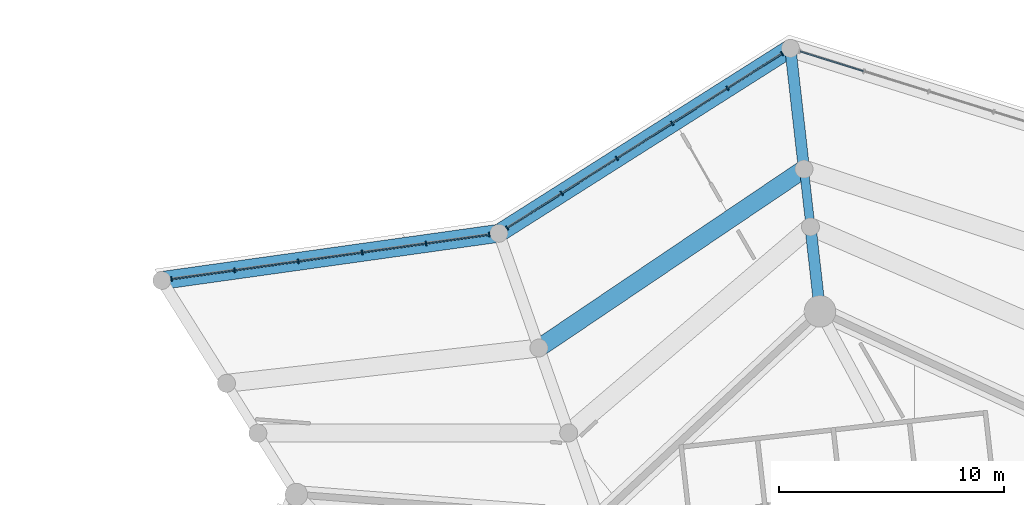
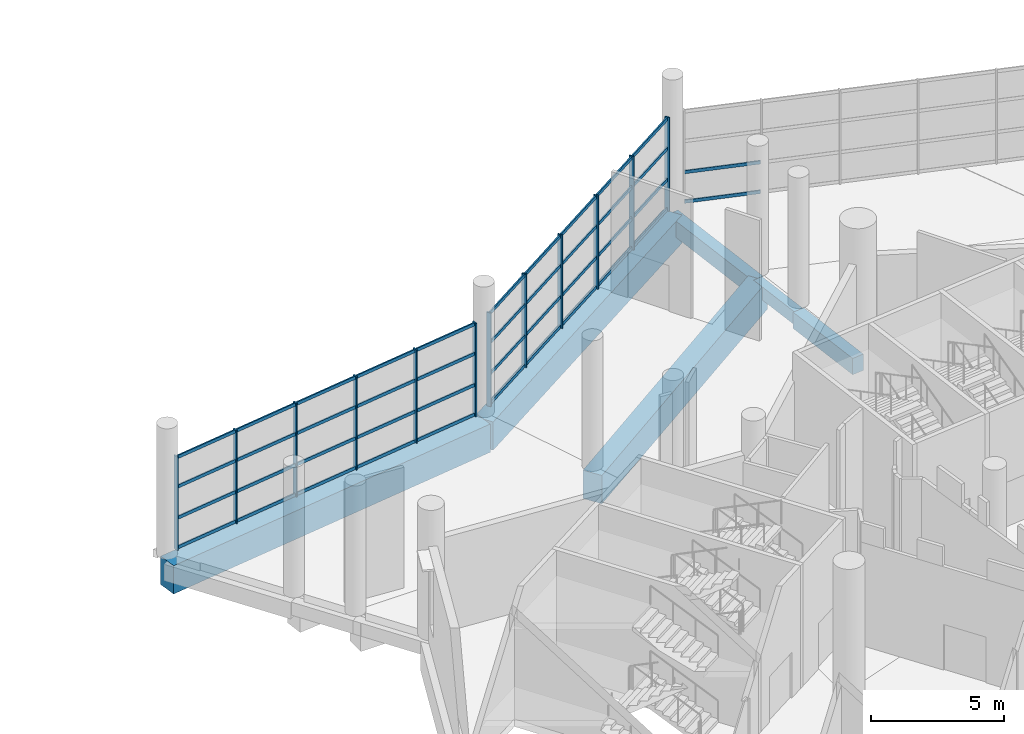
# One storey, part 65 of 249: 54 members, 6 beams, 3 elements without a shape of their own.
"""IFC4 building model written with IfcOpenShell, lengths in metres."""

from ifc_helpers import new_model, si_unit, direction, frame, origin, origin_2d, place, context, subcontext, project, spatial, rectangle, extrude, material, layer, layer_set, material_profile, profile_set, type_object, element, aggregate, save


model = new_model("IFC4")

# Units and contexts
model_context = context("Model", 3, precision=1e-05, world=origin(), true_north=direction((0.0, 1.0)))
body_context = subcontext(model_context, "Body", "Model", "MODEL_VIEW")
ifc_project = project(units=[si_unit("LENGTHUNIT", "METRE"), si_unit("AREAUNIT", "SQUARE_METRE"), si_unit("VOLUMEUNIT", "CUBIC_METRE"), si_unit("PLANEANGLEUNIT", "RADIAN"), si_unit("MASSUNIT", "GRAM", prefix="KILO")], contexts=[model_context])

# Site, building, storey
site_placement = place(None, origin())
site = spatial("IfcSite", under=ifc_project, at=site_placement, CompositionType="ELEMENT")
building_placement = place(site_placement, origin())
building = spatial("IfcBuilding", under=site, at=building_placement, Name="Meseta Stadium", CompositionType="ELEMENT")
storey_placement = place(building_placement, frame((0.0, 0.0, 12.0)))
storey = spatial("IfcBuildingStorey", under=building, at=storey_placement, Name="L02", CompositionType="ELEMENT", Elevation=12.0)

# Beams
ifc_material_1 = material(Name="Concrete C40/50", Category="concrete")
ifc_material_profile_1 = material_profile(ifc_material_1, rectangle(XDim=0.39990234375, YDim=0.60009765625, at=origin_2d()), Name="RC 400x600")
ifc_profile_set_1 = profile_set([ifc_material_profile_1], Name="Concrete C40/50")
beam_type_1 = type_object("IfcBeamType", Name="RC beam 400x600", PredefinedType="BEAM", material=ifc_profile_set_1)
beam_1_placement = place(storey_placement, frame((-52.626220703125, 108.80810546875, -0.64990234375), z_axis=(-0.111926742176, 0.99371646076, 0.0), x_axis=(-0.99371646076, -0.111926742176, 0.0)))
element("IfcBeam", 1, at=beam_1_placement, inside=storey, type_object=beam_type_1, Name="L02 radial beam frame 22 line M to Q", PredefinedType="BEAM", context=body_context, shape_type="SweptSolid", body=[
    extrude(rectangle(XDim=0.39990234375, YDim=0.60009765625, at=origin_2d()), origin(), (0.0, 0.0, 1.0), 2.580322265625),
])
ifc_material_2 = material(Name="Concrete C40/50", Category="concrete")
ifc_material_profile_2 = material_profile(ifc_material_2, rectangle(XDim=0.5, YDim=0.75, at=origin_2d()), Name="RC 500x750")
ifc_profile_set_2 = profile_set([ifc_material_profile_2], Name="Concrete C40/50")
beam_type_2 = type_object("IfcBeamType", Name="RC beam 500x750", PredefinedType="BEAM", material=ifc_profile_set_2)
beam_2_placement = place(storey_placement, frame((-52.202880859375, 105.0517578125, -0.72509765625), z_axis=(-0.111990888536, 0.993709233571, 0.0), x_axis=(-0.993709233571, -0.111990888536, 0.0)))
element("IfcBeam", 2, at=beam_2_placement, inside=storey, type_object=beam_type_2, Name="L02 radial beam frame 22 line R to M", PredefinedType="BEAM", context=body_context, shape_type="SweptSolid", body=[
    extrude(rectangle(XDim=0.5, YDim=0.75, at=origin_2d()), origin(), (0.0, 0.0, 1.0), 3.780029296875),
])
beam_3_placement = place(storey_placement, frame((-52.9150390625, 111.372314453125, -0.72509765625), z_axis=(-0.111944897098, 0.993714415722, 0.0), x_axis=(-0.993714415722, -0.111944897098, 0.0)))
element("IfcBeam", 3, at=beam_3_placement, inside=storey, type_object=beam_type_2, Name="L02 radial beam frame 22 line Q to O", PredefinedType="BEAM", context=body_context, shape_type="SweptSolid", body=[
    extrude(rectangle(XDim=0.5, YDim=0.75, at=origin_2d()), origin(), (0.0, 0.0, 1.0), 5.39990234375),
])
ifc_material_3 = material(Name="Concrete C40/50", Category="concrete")
ifc_material_profile_3 = material_profile(ifc_material_3, rectangle(XDim=0.800048828125, YDim=1.300048828125, at=origin_2d()), Name="RC 800x1300")
ifc_profile_set_3 = profile_set([ifc_material_profile_3], Name="Concrete C40/50")
beam_type_3 = type_object("IfcBeamType", Name="RC beam 800x1300", PredefinedType="BEAM", material=ifc_profile_set_3)
beam_4_placement = place(storey_placement, frame((-52.9150390625, 111.372314453125, -1.0), z_axis=(-0.828920770395, -0.559366030795, 0.0), x_axis=(0.559366030795, -0.828920770395, 0.0)))
element("IfcBeam", 4, at=beam_4_placement, inside=storey, type_object=beam_type_3, Name="L02 ring beam frame 22 line Q", PredefinedType="BEAM", context=body_context, shape_type="SweptSolid", body=[
    extrude(rectangle(XDim=0.800048828125, YDim=1.300048828125, at=origin_2d()), origin(), (0.0, 0.0, 1.0), 14.209716796875),
])
beam_5_placement = place(storey_placement, frame((-53.51953125, 116.73828125, -1.0), z_axis=(-0.844496467493, -0.535561122927, 0.0), x_axis=(0.535561122927, -0.844496467493, 0.0)))
element("IfcBeam", 5, at=beam_5_placement, inside=storey, type_object=beam_type_3, Name="L02 ring beam frame 22 line O", PredefinedType="BEAM", context=body_context, shape_type="SweptSolid", body=[
    extrude(rectangle(XDim=0.800048828125, YDim=1.300048828125, at=origin_2d()), origin(), (0.0, 0.0, 1.0), 15.34375),
])
beam_6_placement = place(storey_placement, frame((-66.477294921875, 108.520751953125, -1.0), z_axis=(-0.990344007641, -0.138631693814, 0.0), x_axis=(0.138631693814, -0.990344007641, 0.0)))
element("IfcBeam", 6, at=beam_6_placement, inside=storey, type_object=beam_type_3, Name="L02 ring beam frame 23 line O", PredefinedType="BEAM", context=body_context, shape_type="SweptSolid", body=[
    extrude(rectangle(XDim=0.800048828125, YDim=1.300048828125, at=origin_2d()), origin(), (0.0, 0.0, 1.0), 15.122314453125),
])

# Curtain wall, members
ifc_material_4 = material(Name="Aluminium", Category="aluminium")
ifc_layer = layer(ifc_material_4, 0.199951171875)
ifc_layer_set = layer_set([ifc_layer], Name="Ring shopfront curtain wall")
curtain_wall_type = type_object("IfcCurtainWallType", Name="Ring shopfront curtain wall", PredefinedType="NOTDEFINED", material=ifc_layer_set)
curtain_wall_1_placement = place(storey_placement, origin())
curtain_wall_1 = element("IfcCurtainWall", 7, at=curtain_wall_1_placement, inside=storey, type_object=curtain_wall_type, Name="Ring glazing L02 F22", PredefinedType="NOTDEFINED")
ifc_material_5 = material(Name="Aluminium", Category="aluminium")
ifc_material_profile_4 = material_profile(ifc_material_5, rectangle(XDim=0.199951171875, YDim=0.06005859375, at=origin_2d()), Name="CW 200x60")
ifc_profile_set_4 = profile_set([ifc_material_profile_4], Name="Aluminium")
member_type_1 = type_object("IfcMemberType", Name="Ring CW mullion 60x200", PredefinedType="MULLION", material=ifc_profile_set_4)
member_1_placement = place(storey_placement, frame((-53.8828125, 116.508056640625, 0.0), z_axis=(0.0, 0.0, 1.0), x_axis=(0.535569055659, -0.844491436677, 0.0)))
member_1 = element("IfcMember", 8, at=member_1_placement, type_object=member_type_1, Name="CWR1 mullion 1", PredefinedType="MULLION", context=body_context, shape_type="SweptSolid", body=[
    extrude(rectangle(XDim=0.199951171875, YDim=0.06005859375, at=origin_2d()), origin(), (0.0, 0.0, 1.0), 4.300048828125),
])
member_2_placement = place(storey_placement, frame((-56.313720703125, 114.96630859375, 0.0), z_axis=(0.0, 0.0, 1.0), x_axis=(0.535569055659, -0.844491436677, 0.0)))
member_2 = element("IfcMember", 9, at=member_2_placement, type_object=member_type_1, Name="CWR1 mullion 2", PredefinedType="MULLION", context=body_context, shape_type="SweptSolid", body=[
    extrude(rectangle(XDim=0.199951171875, YDim=0.06005859375, at=origin_2d()), origin(), (0.0, 0.0, 1.0), 4.300048828125),
])
member_3_placement = place(storey_placement, frame((-58.770263671875, 113.408447265625, 0.0), z_axis=(0.0, 0.0, 1.0), x_axis=(0.535569055659, -0.844491436677, 0.0)))
member_3 = element("IfcMember", 10, at=member_3_placement, type_object=member_type_1, Name="CWR1 mullion 3", PredefinedType="MULLION", context=body_context, shape_type="SweptSolid", body=[
    extrude(rectangle(XDim=0.199951171875, YDim=0.06005859375, at=origin_2d()), origin(), (0.0, 0.0, 1.0), 4.300048828125),
])
member_4_placement = place(storey_placement, frame((-61.2265625, 111.8505859375, 0.0), z_axis=(0.0, 0.0, 1.0), x_axis=(0.535569055659, -0.844491436677, 0.0)))
member_4 = element("IfcMember", 11, at=member_4_placement, type_object=member_type_1, Name="CWR1 mullion 4", PredefinedType="MULLION", context=body_context, shape_type="SweptSolid", body=[
    extrude(rectangle(XDim=0.199951171875, YDim=0.06005859375, at=origin_2d()), origin(), (0.0, 0.0, 1.0), 4.300048828125),
])
member_5_placement = place(storey_placement, frame((-63.68310546875, 110.292724609375, 0.0), z_axis=(0.0, 0.0, 1.0), x_axis=(0.535569055659, -0.844491436677, 0.0)))
member_5 = element("IfcMember", 12, at=member_5_placement, type_object=member_type_1, Name="CWR1 mullion 5", PredefinedType="MULLION", context=body_context, shape_type="SweptSolid", body=[
    extrude(rectangle(XDim=0.199951171875, YDim=0.06005859375, at=origin_2d()), origin(), (0.0, 0.0, 1.0), 4.300048828125),
])
member_6_placement = place(storey_placement, frame((-66.1142578125, 108.7509765625, 0.0), z_axis=(0.0, 0.0, 1.0), x_axis=(0.535569055659, -0.844491436677, 0.0)))
member_6 = element("IfcMember", 13, at=member_6_placement, type_object=member_type_1, Name="CWR1 mullion 6", PredefinedType="MULLION", context=body_context, shape_type="SweptSolid", body=[
    extrude(rectangle(XDim=0.199951171875, YDim=0.06005859375, at=origin_2d()), origin(), (0.0, 0.0, 1.0), 4.300048828125),
])

curtain_wall_2_placement = place(storey_placement, origin())
curtain_wall_2 = element("IfcCurtainWall", 14, at=curtain_wall_2_placement, inside=storey, type_object=curtain_wall_type, Name="Ring glazing L02 F23", PredefinedType="NOTDEFINED")
member_7_placement = place(storey_placement, frame((-66.903076171875, 108.461181640625, 0.0), z_axis=(0.0, 0.0, 1.0), x_axis=(0.13864277713, -0.990342456098, 0.0)))
member_7 = element("IfcMember", 15, at=member_7_placement, type_object=member_type_1, Name="CWR1 mullion 1", PredefinedType="MULLION", context=body_context, shape_type="SweptSolid", body=[
    extrude(rectangle(XDim=0.199951171875, YDim=0.06005859375, at=origin_2d()), origin(), (0.0, 0.0, 1.0), 4.300048828125),
])
member_8_placement = place(storey_placement, frame((-69.710205078125, 108.068115234375, 0.0), z_axis=(0.0, 0.0, 1.0), x_axis=(0.13864277713, -0.990342456098, 0.0)))
member_8 = element("IfcMember", 16, at=member_8_placement, type_object=member_type_1, Name="CWR1 mullion 2", PredefinedType="MULLION", context=body_context, shape_type="SweptSolid", body=[
    extrude(rectangle(XDim=0.199951171875, YDim=0.06005859375, at=origin_2d()), origin(), (0.0, 0.0, 1.0), 4.300048828125),
])
member_9_placement = place(storey_placement, frame((-72.547119140625, 107.6708984375, 0.0), z_axis=(0.0, 0.0, 1.0), x_axis=(0.13864277713, -0.990342456098, 0.0)))
member_9 = element("IfcMember", 17, at=member_9_placement, type_object=member_type_1, Name="CWR1 mullion 3", PredefinedType="MULLION", context=body_context, shape_type="SweptSolid", body=[
    extrude(rectangle(XDim=0.199951171875, YDim=0.06005859375, at=origin_2d()), origin(), (0.0, 0.0, 1.0), 4.300048828125),
])
member_10_placement = place(storey_placement, frame((-75.3837890625, 107.27392578125, 0.0), z_axis=(0.0, 0.0, 1.0), x_axis=(0.13864277713, -0.990342456098, 0.0)))
member_10 = element("IfcMember", 18, at=member_10_placement, type_object=member_type_1, Name="CWR1 mullion 4", PredefinedType="MULLION", context=body_context, shape_type="SweptSolid", body=[
    extrude(rectangle(XDim=0.199951171875, YDim=0.06005859375, at=origin_2d()), origin(), (0.0, 0.0, 1.0), 4.300048828125),
])
member_11_placement = place(storey_placement, frame((-78.220703125, 106.876708984375, 0.0), z_axis=(0.0, 0.0, 1.0), x_axis=(0.13864277713, -0.990342456098, 0.0)))
member_11 = element("IfcMember", 19, at=member_11_placement, type_object=member_type_1, Name="CWR1 mullion 5", PredefinedType="MULLION", context=body_context, shape_type="SweptSolid", body=[
    extrude(rectangle(XDim=0.199951171875, YDim=0.06005859375, at=origin_2d()), origin(), (0.0, 0.0, 1.0), 4.300048828125),
])
member_12_placement = place(storey_placement, frame((-81.02783203125, 106.483642578125, 0.0), z_axis=(0.0, 0.0, 1.0), x_axis=(0.13864277713, -0.990342456098, 0.0)))
member_12 = element("IfcMember", 20, at=member_12_placement, type_object=member_type_1, Name="CWR1 mullion 6", PredefinedType="MULLION", context=body_context, shape_type="SweptSolid", body=[
    extrude(rectangle(XDim=0.199951171875, YDim=0.06005859375, at=origin_2d()), origin(), (0.0, 0.0, 1.0), 4.300048828125),
])

curtain_wall_3_placement = place(storey_placement, origin())
curtain_wall_3 = element("IfcCurtainWall", 21, at=curtain_wall_3_placement, inside=storey, type_object=curtain_wall_type, Name="Ring glazing L02 F21", PredefinedType="NOTDEFINED")
ifc_material_6 = material(Name="Aluminium", Category="aluminium")
ifc_material_profile_5 = material_profile(ifc_material_6, rectangle(XDim=0.06005859375, YDim=0.14990234375, at=origin_2d()), Name="CW 60x150")
ifc_profile_set_5 = profile_set([ifc_material_profile_5], Name="Aluminium")
member_type_2 = type_object("IfcMemberType", Name="Ring CW transom 60x150", PredefinedType="USERDEFINED", material=ifc_profile_set_5)
member_13_placement = place(storey_placement, frame((-50.281982421875, 115.728271484375, 0.074951171875), z_axis=(-0.954626563938, 0.297805512749, 0.0), x_axis=(-0.297805512749, -0.954626563938, 0.0)))
member_13 = element("IfcMember", 22, at=member_13_placement, type_object=member_type_2, Name="CWR1 transom 5.1", ObjectType="TRANSOM", PredefinedType="USERDEFINED", context=body_context, shape_type="SweptSolid", body=[
    extrude(rectangle(XDim=0.06005859375, YDim=0.14990234375, at=origin_2d()), origin(), (0.0, 0.0, 1.0), 2.931640625),
])
member_14_placement = place(storey_placement, frame((-50.281982421875, 115.728271484375, 1.433349609375), z_axis=(-0.954626563938, 0.297805512749, 0.0), x_axis=(-0.297805512749, -0.954626563938, 0.0)))
member_14 = element("IfcMember", 23, at=member_14_placement, type_object=member_type_2, Name="CWR1 transom 5.2", ObjectType="TRANSOM", PredefinedType="USERDEFINED", context=body_context, shape_type="SweptSolid", body=[
    extrude(rectangle(XDim=0.06005859375, YDim=0.14990234375, at=origin_2d()), origin(), (0.0, 0.0, 1.0), 2.931640625),
])
aggregate(curtain_wall_3, [member_13, member_14])

# Member
member_15_placement = place(storey_placement, frame((-53.907958984375, 116.4921875, 0.074951171875), z_axis=(-0.84449138182, -0.535569142157, 0.0), x_axis=(0.535569142157, -0.84449138182, 0.0)))
member_15 = element("IfcMember", 24, at=member_15_placement, type_object=member_type_2, Name="CWR1 transom 1.1", ObjectType="TRANSOM", PredefinedType="USERDEFINED", context=body_context, shape_type="SweptSolid", body=[
    extrude(rectangle(XDim=0.06005859375, YDim=0.14990234375, at=origin_2d()), origin(), (0.0, 0.0, 1.0), 2.819091796875),
])

member_16_placement = place(storey_placement, frame((-53.907958984375, 116.4921875, 1.433349609375), z_axis=(-0.84449138182, -0.535569142157, 0.0), x_axis=(0.535569142157, -0.84449138182, 0.0)))
member_16 = element("IfcMember", 25, at=member_16_placement, type_object=member_type_2, Name="CWR1 transom 1.2", ObjectType="TRANSOM", PredefinedType="USERDEFINED", context=body_context, shape_type="SweptSolid", body=[
    extrude(rectangle(XDim=0.06005859375, YDim=0.14990234375, at=origin_2d()), origin(), (0.0, 0.0, 1.0), 2.819091796875),
])

member_17_placement = place(storey_placement, frame((-53.907958984375, 116.4921875, 2.86669921875), z_axis=(-0.84449138182, -0.535569142157, 0.0), x_axis=(0.535569142157, -0.84449138182, 0.0)))
member_17 = element("IfcMember", 26, at=member_17_placement, type_object=member_type_2, Name="CWR1 transom 1.3", ObjectType="TRANSOM", PredefinedType="USERDEFINED", context=body_context, shape_type="SweptSolid", body=[
    extrude(rectangle(XDim=0.06005859375, YDim=0.14990234375, at=origin_2d()), origin(), (0.0, 0.0, 1.0), 2.819091796875),
])

member_18_placement = place(storey_placement, frame((-53.907958984375, 116.4921875, 4.22509765625), z_axis=(-0.84449138182, -0.535569142157, 0.0), x_axis=(0.535569142157, -0.84449138182, 0.0)))
member_18 = element("IfcMember", 27, at=member_18_placement, type_object=member_type_2, Name="CWR1 transom 1.4", ObjectType="TRANSOM", PredefinedType="USERDEFINED", context=body_context, shape_type="SweptSolid", body=[
    extrude(rectangle(XDim=0.06005859375, YDim=0.14990234375, at=origin_2d()), origin(), (0.0, 0.0, 1.0), 2.819091796875),
])

member_19_placement = place(storey_placement, frame((-56.339111328125, 114.9501953125, 0.074951171875), z_axis=(-0.844503851556, -0.535549479234, 0.0), x_axis=(0.535549479234, -0.844503851556, 0.0)))
member_19 = element("IfcMember", 28, at=member_19_placement, type_object=member_type_2, Name="CWR1 transom 2.1", ObjectType="TRANSOM", PredefinedType="USERDEFINED", context=body_context, shape_type="SweptSolid", body=[
    extrude(rectangle(XDim=0.06005859375, YDim=0.14990234375, at=origin_2d()), origin(), (0.0, 0.0, 1.0), 2.8486328125),
])

member_20_placement = place(storey_placement, frame((-56.339111328125, 114.9501953125, 1.433349609375), z_axis=(-0.844503851556, -0.535549479234, 0.0), x_axis=(0.535549479234, -0.844503851556, 0.0)))
member_20 = element("IfcMember", 29, at=member_20_placement, type_object=member_type_2, Name="CWR1 transom 2.2", ObjectType="TRANSOM", PredefinedType="USERDEFINED", context=body_context, shape_type="SweptSolid", body=[
    extrude(rectangle(XDim=0.06005859375, YDim=0.14990234375, at=origin_2d()), origin(), (0.0, 0.0, 1.0), 2.8486328125),
])

member_21_placement = place(storey_placement, frame((-56.339111328125, 114.9501953125, 2.86669921875), z_axis=(-0.844503851556, -0.535549479234, 0.0), x_axis=(0.535549479234, -0.844503851556, 0.0)))
member_21 = element("IfcMember", 30, at=member_21_placement, type_object=member_type_2, Name="CWR1 transom 2.3", ObjectType="TRANSOM", PredefinedType="USERDEFINED", context=body_context, shape_type="SweptSolid", body=[
    extrude(rectangle(XDim=0.06005859375, YDim=0.14990234375, at=origin_2d()), origin(), (0.0, 0.0, 1.0), 2.8486328125),
])

member_22_placement = place(storey_placement, frame((-56.339111328125, 114.9501953125, 4.22509765625), z_axis=(-0.844503851556, -0.535549479234, 0.0), x_axis=(0.535549479234, -0.844503851556, 0.0)))
member_22 = element("IfcMember", 31, at=member_22_placement, type_object=member_type_2, Name="CWR1 transom 2.4", ObjectType="TRANSOM", PredefinedType="USERDEFINED", context=body_context, shape_type="SweptSolid", body=[
    extrude(rectangle(XDim=0.06005859375, YDim=0.14990234375, at=origin_2d()), origin(), (0.0, 0.0, 1.0), 2.8486328125),
])

member_23_placement = place(storey_placement, frame((-58.795654296875, 113.392333984375, 0.074951171875), z_axis=(-0.844503851556, -0.535549479234, 0.0), x_axis=(0.535549479234, -0.844503851556, 0.0)))
member_23 = element("IfcMember", 32, at=member_23_placement, type_object=member_type_2, Name="CWR1 transom 3.1", ObjectType="TRANSOM", PredefinedType="USERDEFINED", context=body_context, shape_type="SweptSolid", body=[
    extrude(rectangle(XDim=0.06005859375, YDim=0.14990234375, at=origin_2d()), origin(), (0.0, 0.0, 1.0), 2.8486328125),
])

member_24_placement = place(storey_placement, frame((-58.795654296875, 113.392333984375, 1.433349609375), z_axis=(-0.844503851556, -0.535549479234, 0.0), x_axis=(0.535549479234, -0.844503851556, 0.0)))
member_24 = element("IfcMember", 33, at=member_24_placement, type_object=member_type_2, Name="CWR1 transom 3.2", ObjectType="TRANSOM", PredefinedType="USERDEFINED", context=body_context, shape_type="SweptSolid", body=[
    extrude(rectangle(XDim=0.06005859375, YDim=0.14990234375, at=origin_2d()), origin(), (0.0, 0.0, 1.0), 2.8486328125),
])

member_25_placement = place(storey_placement, frame((-58.795654296875, 113.392333984375, 2.86669921875), z_axis=(-0.844503851556, -0.535549479234, 0.0), x_axis=(0.535549479234, -0.844503851556, 0.0)))
member_25 = element("IfcMember", 34, at=member_25_placement, type_object=member_type_2, Name="CWR1 transom 3.3", ObjectType="TRANSOM", PredefinedType="USERDEFINED", context=body_context, shape_type="SweptSolid", body=[
    extrude(rectangle(XDim=0.06005859375, YDim=0.14990234375, at=origin_2d()), origin(), (0.0, 0.0, 1.0), 2.8486328125),
])

member_26_placement = place(storey_placement, frame((-58.795654296875, 113.392333984375, 4.22509765625), z_axis=(-0.844503851556, -0.535549479234, 0.0), x_axis=(0.535549479234, -0.844503851556, 0.0)))
member_26 = element("IfcMember", 35, at=member_26_placement, type_object=member_type_2, Name="CWR1 transom 3.4", ObjectType="TRANSOM", PredefinedType="USERDEFINED", context=body_context, shape_type="SweptSolid", body=[
    extrude(rectangle(XDim=0.06005859375, YDim=0.14990234375, at=origin_2d()), origin(), (0.0, 0.0, 1.0), 2.8486328125),
])

member_27_placement = place(storey_placement, frame((-61.251953125, 111.834716796875, 0.074951171875), z_axis=(-0.844465090539, -0.535610596293, 0.0), x_axis=(0.535610596293, -0.844465090539, 0.0)))
member_27 = element("IfcMember", 36, at=member_27_placement, type_object=member_type_2, Name="CWR1 transom 4.1", ObjectType="TRANSOM", PredefinedType="USERDEFINED", context=body_context, shape_type="SweptSolid", body=[
    extrude(rectangle(XDim=0.06005859375, YDim=0.14990234375, at=origin_2d()), origin(), (0.0, 0.0, 1.0), 2.848876953125),
])

member_28_placement = place(storey_placement, frame((-61.251953125, 111.834716796875, 1.433349609375), z_axis=(-0.844465090539, -0.535610596293, 0.0), x_axis=(0.535610596293, -0.844465090539, 0.0)))
member_28 = element("IfcMember", 37, at=member_28_placement, type_object=member_type_2, Name="CWR1 transom 4.2", ObjectType="TRANSOM", PredefinedType="USERDEFINED", context=body_context, shape_type="SweptSolid", body=[
    extrude(rectangle(XDim=0.06005859375, YDim=0.14990234375, at=origin_2d()), origin(), (0.0, 0.0, 1.0), 2.848876953125),
])

member_29_placement = place(storey_placement, frame((-61.251953125, 111.834716796875, 2.86669921875), z_axis=(-0.844465090539, -0.535610596293, 0.0), x_axis=(0.535610596293, -0.844465090539, 0.0)))
member_29 = element("IfcMember", 38, at=member_29_placement, type_object=member_type_2, Name="CWR1 transom 4.3", ObjectType="TRANSOM", PredefinedType="USERDEFINED", context=body_context, shape_type="SweptSolid", body=[
    extrude(rectangle(XDim=0.06005859375, YDim=0.14990234375, at=origin_2d()), origin(), (0.0, 0.0, 1.0), 2.848876953125),
])

member_30_placement = place(storey_placement, frame((-61.251953125, 111.834716796875, 4.22509765625), z_axis=(-0.844465090539, -0.535610596293, 0.0), x_axis=(0.535610596293, -0.844465090539, 0.0)))
member_30 = element("IfcMember", 39, at=member_30_placement, type_object=member_type_2, Name="CWR1 transom 4.4", ObjectType="TRANSOM", PredefinedType="USERDEFINED", context=body_context, shape_type="SweptSolid", body=[
    extrude(rectangle(XDim=0.06005859375, YDim=0.14990234375, at=origin_2d()), origin(), (0.0, 0.0, 1.0), 2.848876953125),
])

member_31_placement = place(storey_placement, frame((-63.70849609375, 110.27685546875, 0.074951171875), z_axis=(-0.844466537632, -0.53560831474, 0.0), x_axis=(0.53560831474, -0.844466537632, 0.0)))
member_31 = element("IfcMember", 40, at=member_31_placement, type_object=member_type_2, Name="CWR1 transom 5.1", ObjectType="TRANSOM", PredefinedType="USERDEFINED", context=body_context, shape_type="SweptSolid", body=[
    extrude(rectangle(XDim=0.06005859375, YDim=0.14990234375, at=origin_2d()), origin(), (0.0, 0.0, 1.0), 2.81884765625),
])

member_32_placement = place(storey_placement, frame((-63.70849609375, 110.27685546875, 1.433349609375), z_axis=(-0.844466537632, -0.53560831474, 0.0), x_axis=(0.53560831474, -0.844466537632, 0.0)))
member_32 = element("IfcMember", 41, at=member_32_placement, type_object=member_type_2, Name="CWR1 transom 5.2", ObjectType="TRANSOM", PredefinedType="USERDEFINED", context=body_context, shape_type="SweptSolid", body=[
    extrude(rectangle(XDim=0.06005859375, YDim=0.14990234375, at=origin_2d()), origin(), (0.0, 0.0, 1.0), 2.81884765625),
])

member_33_placement = place(storey_placement, frame((-63.70849609375, 110.27685546875, 2.86669921875), z_axis=(-0.844466537632, -0.53560831474, 0.0), x_axis=(0.53560831474, -0.844466537632, 0.0)))
member_33 = element("IfcMember", 42, at=member_33_placement, type_object=member_type_2, Name="CWR1 transom 5.3", ObjectType="TRANSOM", PredefinedType="USERDEFINED", context=body_context, shape_type="SweptSolid", body=[
    extrude(rectangle(XDim=0.06005859375, YDim=0.14990234375, at=origin_2d()), origin(), (0.0, 0.0, 1.0), 2.81884765625),
])

member_34_placement = place(storey_placement, frame((-63.70849609375, 110.27685546875, 4.22509765625), z_axis=(-0.844466537632, -0.53560831474, 0.0), x_axis=(0.53560831474, -0.844466537632, 0.0)))
member_34 = element("IfcMember", 43, at=member_34_placement, type_object=member_type_2, Name="CWR1 transom 5.4", ObjectType="TRANSOM", PredefinedType="USERDEFINED", context=body_context, shape_type="SweptSolid", body=[
    extrude(rectangle(XDim=0.06005859375, YDim=0.14990234375, at=origin_2d()), origin(), (0.0, 0.0, 1.0), 2.81884765625),
])

aggregate(curtain_wall_1, [member_1, member_2, member_3, member_4, member_5, member_6, member_15, member_16, member_17, member_18, member_19, member_20, member_21, member_22, member_23, member_24, member_25, member_26, member_27, member_28, member_29, member_30, member_31, member_32, member_33, member_34])

member_35_placement = place(storey_placement, frame((-66.932861328125, 108.45703125, 0.074951171875), z_axis=(-0.990336429435, -0.138685819512, 0.0), x_axis=(0.138685819512, -0.990336429435, 0.0)))
member_35 = element("IfcMember", 44, at=member_35_placement, type_object=member_type_2, Name="CWR1 transom 1.1", ObjectType="TRANSOM", PredefinedType="USERDEFINED", context=body_context, shape_type="SweptSolid", body=[
    extrude(rectangle(XDim=0.06005859375, YDim=0.14990234375, at=origin_2d()), origin(), (0.0, 0.0, 1.0), 2.7744140625),
])

member_36_placement = place(storey_placement, frame((-66.932861328125, 108.45703125, 1.433349609375), z_axis=(-0.990336429435, -0.138685819512, 0.0), x_axis=(0.138685819512, -0.990336429435, 0.0)))
member_36 = element("IfcMember", 45, at=member_36_placement, type_object=member_type_2, Name="CWR1 transom 1.2", ObjectType="TRANSOM", PredefinedType="USERDEFINED", context=body_context, shape_type="SweptSolid", body=[
    extrude(rectangle(XDim=0.06005859375, YDim=0.14990234375, at=origin_2d()), origin(), (0.0, 0.0, 1.0), 2.7744140625),
])

member_37_placement = place(storey_placement, frame((-66.932861328125, 108.45703125, 2.86669921875), z_axis=(-0.990336429435, -0.138685819512, 0.0), x_axis=(0.138685819512, -0.990336429435, 0.0)))
member_37 = element("IfcMember", 46, at=member_37_placement, type_object=member_type_2, Name="CWR1 transom 1.3", ObjectType="TRANSOM", PredefinedType="USERDEFINED", context=body_context, shape_type="SweptSolid", body=[
    extrude(rectangle(XDim=0.06005859375, YDim=0.14990234375, at=origin_2d()), origin(), (0.0, 0.0, 1.0), 2.7744140625),
])

member_38_placement = place(storey_placement, frame((-66.932861328125, 108.45703125, 4.22509765625), z_axis=(-0.990336429435, -0.138685819512, 0.0), x_axis=(0.138685819512, -0.990336429435, 0.0)))
member_38 = element("IfcMember", 47, at=member_38_placement, type_object=member_type_2, Name="CWR1 transom 1.4", ObjectType="TRANSOM", PredefinedType="USERDEFINED", context=body_context, shape_type="SweptSolid", body=[
    extrude(rectangle(XDim=0.06005859375, YDim=0.14990234375, at=origin_2d()), origin(), (0.0, 0.0, 1.0), 2.7744140625),
])

member_39_placement = place(storey_placement, frame((-69.739990234375, 108.06396484375, 0.074951171875), z_axis=(-0.990349395442, -0.138593199503, 0.0), x_axis=(0.138593199503, -0.990349395442, 0.0)))
member_39 = element("IfcMember", 48, at=member_39_placement, type_object=member_type_2, Name="CWR1 transom 2.1", ObjectType="TRANSOM", PredefinedType="USERDEFINED", context=body_context, shape_type="SweptSolid", body=[
    extrude(rectangle(XDim=0.06005859375, YDim=0.14990234375, at=origin_2d()), origin(), (0.0, 0.0, 1.0), 2.804443359375),
])

member_40_placement = place(storey_placement, frame((-69.739990234375, 108.06396484375, 1.433349609375), z_axis=(-0.990349395442, -0.138593199503, 0.0), x_axis=(0.138593199503, -0.990349395442, 0.0)))
member_40 = element("IfcMember", 49, at=member_40_placement, type_object=member_type_2, Name="CWR1 transom 2.2", ObjectType="TRANSOM", PredefinedType="USERDEFINED", context=body_context, shape_type="SweptSolid", body=[
    extrude(rectangle(XDim=0.06005859375, YDim=0.14990234375, at=origin_2d()), origin(), (0.0, 0.0, 1.0), 2.804443359375),
])

member_41_placement = place(storey_placement, frame((-69.739990234375, 108.06396484375, 2.86669921875), z_axis=(-0.990349395442, -0.138593199503, 0.0), x_axis=(0.138593199503, -0.990349395442, 0.0)))
member_41 = element("IfcMember", 50, at=member_41_placement, type_object=member_type_2, Name="CWR1 transom 2.3", ObjectType="TRANSOM", PredefinedType="USERDEFINED", context=body_context, shape_type="SweptSolid", body=[
    extrude(rectangle(XDim=0.06005859375, YDim=0.14990234375, at=origin_2d()), origin(), (0.0, 0.0, 1.0), 2.804443359375),
])

member_42_placement = place(storey_placement, frame((-69.739990234375, 108.06396484375, 4.22509765625), z_axis=(-0.990349395442, -0.138593199503, 0.0), x_axis=(0.138593199503, -0.990349395442, 0.0)))
member_42 = element("IfcMember", 51, at=member_42_placement, type_object=member_type_2, Name="CWR1 transom 2.4", ObjectType="TRANSOM", PredefinedType="USERDEFINED", context=body_context, shape_type="SweptSolid", body=[
    extrude(rectangle(XDim=0.06005859375, YDim=0.14990234375, at=origin_2d()), origin(), (0.0, 0.0, 1.0), 2.804443359375),
])

member_43_placement = place(storey_placement, frame((-72.57666015625, 107.666748046875, 0.074951171875), z_axis=(-0.990351067404, -0.138581251587, 0.0), x_axis=(0.138581251587, -0.990351067404, 0.0)))
member_43 = element("IfcMember", 52, at=member_43_placement, type_object=member_type_2, Name="CWR1 transom 3.1", ObjectType="TRANSOM", PredefinedType="USERDEFINED", context=body_context, shape_type="SweptSolid", body=[
    extrude(rectangle(XDim=0.06005859375, YDim=0.14990234375, at=origin_2d()), origin(), (0.0, 0.0, 1.0), 2.8046875),
])

member_44_placement = place(storey_placement, frame((-72.57666015625, 107.666748046875, 1.433349609375), z_axis=(-0.990351067404, -0.138581251587, 0.0), x_axis=(0.138581251587, -0.990351067404, 0.0)))
member_44 = element("IfcMember", 53, at=member_44_placement, type_object=member_type_2, Name="CWR1 transom 3.2", ObjectType="TRANSOM", PredefinedType="USERDEFINED", context=body_context, shape_type="SweptSolid", body=[
    extrude(rectangle(XDim=0.06005859375, YDim=0.14990234375, at=origin_2d()), origin(), (0.0, 0.0, 1.0), 2.8046875),
])

member_45_placement = place(storey_placement, frame((-72.57666015625, 107.666748046875, 2.86669921875), z_axis=(-0.990351067404, -0.138581251587, 0.0), x_axis=(0.138581251587, -0.990351067404, 0.0)))
member_45 = element("IfcMember", 54, at=member_45_placement, type_object=member_type_2, Name="CWR1 transom 3.3", ObjectType="TRANSOM", PredefinedType="USERDEFINED", context=body_context, shape_type="SweptSolid", body=[
    extrude(rectangle(XDim=0.06005859375, YDim=0.14990234375, at=origin_2d()), origin(), (0.0, 0.0, 1.0), 2.8046875),
])

member_46_placement = place(storey_placement, frame((-72.57666015625, 107.666748046875, 4.22509765625), z_axis=(-0.990351067404, -0.138581251587, 0.0), x_axis=(0.138581251587, -0.990351067404, 0.0)))
member_46 = element("IfcMember", 55, at=member_46_placement, type_object=member_type_2, Name="CWR1 transom 3.4", ObjectType="TRANSOM", PredefinedType="USERDEFINED", context=body_context, shape_type="SweptSolid", body=[
    extrude(rectangle(XDim=0.06005859375, YDim=0.14990234375, at=origin_2d()), origin(), (0.0, 0.0, 1.0), 2.8046875),
])

member_47_placement = place(storey_placement, frame((-75.41357421875, 107.269775390625, 0.074951171875), z_axis=(-0.99033744297, -0.138678581808, 0.0), x_axis=(0.138678581808, -0.99033744297, 0.0)))
member_47 = element("IfcMember", 56, at=member_47_placement, type_object=member_type_2, Name="CWR1 transom 4.1", ObjectType="TRANSOM", PredefinedType="USERDEFINED", context=body_context, shape_type="SweptSolid", body=[
    extrude(rectangle(XDim=0.06005859375, YDim=0.14990234375, at=origin_2d()), origin(), (0.0, 0.0, 1.0), 2.804443359375),
])

member_48_placement = place(storey_placement, frame((-75.41357421875, 107.269775390625, 1.433349609375), z_axis=(-0.99033744297, -0.138678581808, 0.0), x_axis=(0.138678581808, -0.99033744297, 0.0)))
member_48 = element("IfcMember", 57, at=member_48_placement, type_object=member_type_2, Name="CWR1 transom 4.2", ObjectType="TRANSOM", PredefinedType="USERDEFINED", context=body_context, shape_type="SweptSolid", body=[
    extrude(rectangle(XDim=0.06005859375, YDim=0.14990234375, at=origin_2d()), origin(), (0.0, 0.0, 1.0), 2.804443359375),
])

member_49_placement = place(storey_placement, frame((-75.41357421875, 107.269775390625, 2.86669921875), z_axis=(-0.99033744297, -0.138678581808, 0.0), x_axis=(0.138678581808, -0.99033744297, 0.0)))
member_49 = element("IfcMember", 58, at=member_49_placement, type_object=member_type_2, Name="CWR1 transom 4.3", ObjectType="TRANSOM", PredefinedType="USERDEFINED", context=body_context, shape_type="SweptSolid", body=[
    extrude(rectangle(XDim=0.06005859375, YDim=0.14990234375, at=origin_2d()), origin(), (0.0, 0.0, 1.0), 2.804443359375),
])

member_50_placement = place(storey_placement, frame((-75.41357421875, 107.269775390625, 4.22509765625), z_axis=(-0.99033744297, -0.138678581808, 0.0), x_axis=(0.138678581808, -0.99033744297, 0.0)))
member_50 = element("IfcMember", 59, at=member_50_placement, type_object=member_type_2, Name="CWR1 transom 4.4", ObjectType="TRANSOM", PredefinedType="USERDEFINED", context=body_context, shape_type="SweptSolid", body=[
    extrude(rectangle(XDim=0.06005859375, YDim=0.14990234375, at=origin_2d()), origin(), (0.0, 0.0, 1.0), 2.804443359375),
])

member_51_placement = place(storey_placement, frame((-78.25048828125, 106.87255859375, 0.074951171875), z_axis=(-0.990348512046, -0.13859951186, 0.0), x_axis=(0.13859951186, -0.990348512046, 0.0)))
member_51 = element("IfcMember", 60, at=member_51_placement, type_object=member_type_2, Name="CWR1 transom 5.1", ObjectType="TRANSOM", PredefinedType="USERDEFINED", context=body_context, shape_type="SweptSolid", body=[
    extrude(rectangle(XDim=0.06005859375, YDim=0.14990234375, at=origin_2d()), origin(), (0.0, 0.0, 1.0), 2.7744140625),
])

member_52_placement = place(storey_placement, frame((-78.25048828125, 106.87255859375, 1.433349609375), z_axis=(-0.990348512046, -0.13859951186, 0.0), x_axis=(0.13859951186, -0.990348512046, 0.0)))
member_52 = element("IfcMember", 61, at=member_52_placement, type_object=member_type_2, Name="CWR1 transom 5.2", ObjectType="TRANSOM", PredefinedType="USERDEFINED", context=body_context, shape_type="SweptSolid", body=[
    extrude(rectangle(XDim=0.06005859375, YDim=0.14990234375, at=origin_2d()), origin(), (0.0, 0.0, 1.0), 2.7744140625),
])

member_53_placement = place(storey_placement, frame((-78.25048828125, 106.87255859375, 2.86669921875), z_axis=(-0.990348512046, -0.13859951186, 0.0), x_axis=(0.13859951186, -0.990348512046, 0.0)))
member_53 = element("IfcMember", 62, at=member_53_placement, type_object=member_type_2, Name="CWR1 transom 5.3", ObjectType="TRANSOM", PredefinedType="USERDEFINED", context=body_context, shape_type="SweptSolid", body=[
    extrude(rectangle(XDim=0.06005859375, YDim=0.14990234375, at=origin_2d()), origin(), (0.0, 0.0, 1.0), 2.7744140625),
])

member_54_placement = place(storey_placement, frame((-78.25048828125, 106.87255859375, 4.22509765625), z_axis=(-0.990348512046, -0.13859951186, 0.0), x_axis=(0.13859951186, -0.990348512046, 0.0)))
member_54 = element("IfcMember", 63, at=member_54_placement, type_object=member_type_2, Name="CWR1 transom 5.4", ObjectType="TRANSOM", PredefinedType="USERDEFINED", context=body_context, shape_type="SweptSolid", body=[
    extrude(rectangle(XDim=0.06005859375, YDim=0.14990234375, at=origin_2d()), origin(), (0.0, 0.0, 1.0), 2.7744140625),
])

aggregate(curtain_wall_2, [member_7, member_8, member_9, member_10, member_11, member_12, member_35, member_36, member_37, member_38, member_39, member_40, member_41, member_42, member_43, member_44, member_45, member_46, member_47, member_48, member_49, member_50, member_51, member_52, member_53, member_54])

save(model, "model.ifc")
